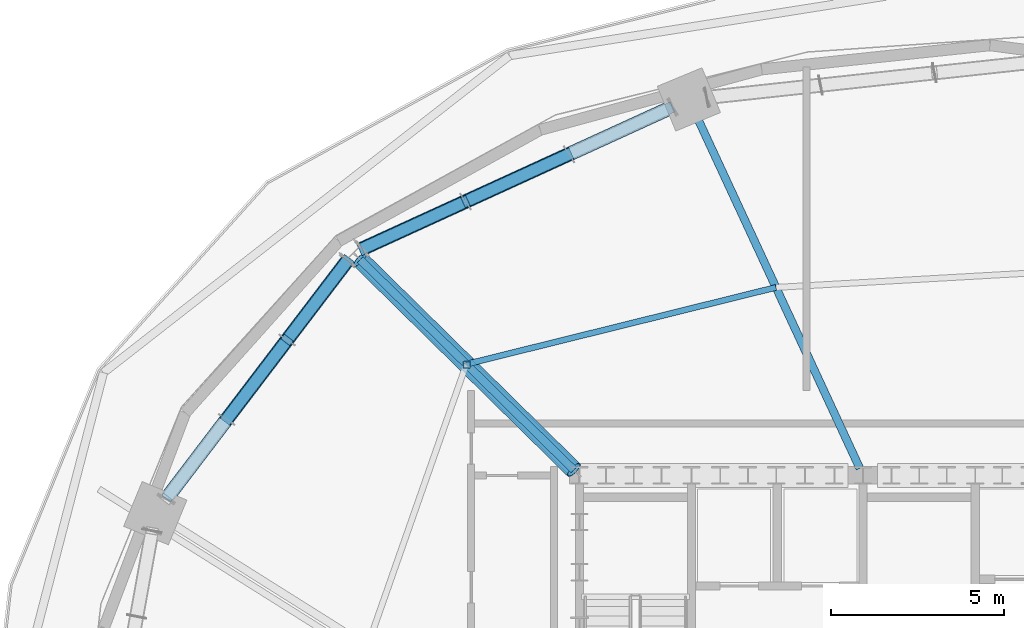
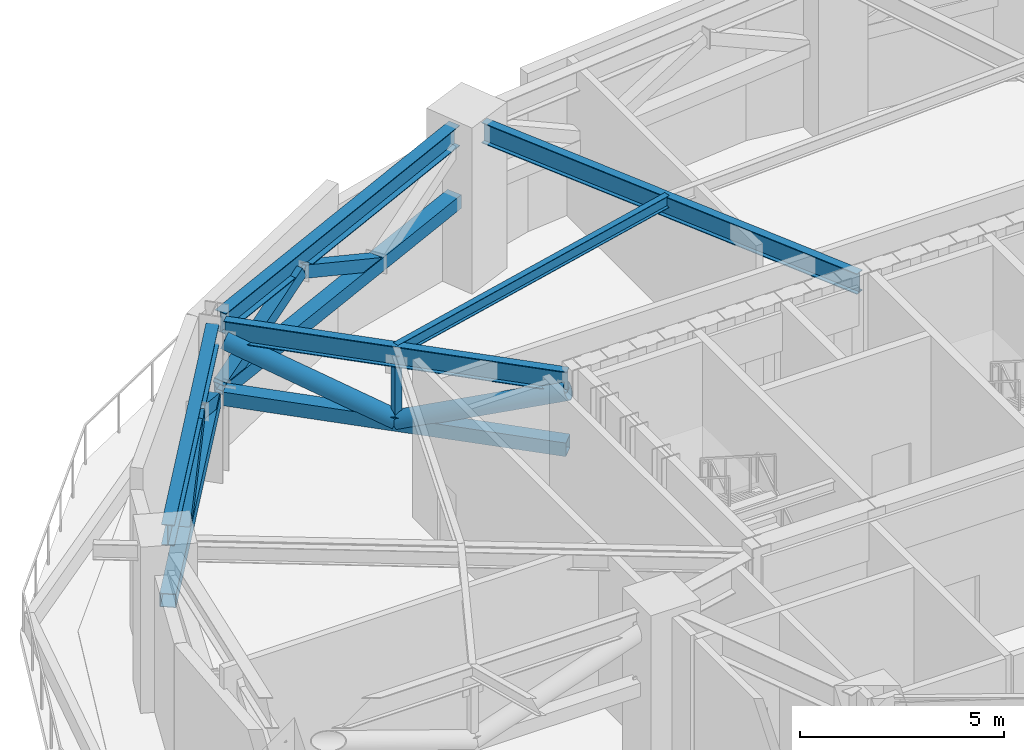
# One storey, part 6 of 18: 10 members, 5 beams.
"""IFC4 building model written with IfcOpenShell, lengths in metres."""

from ifc_helpers import new_model, si_unit, direction, frame, origin, origin_2d, place, context, subcontext, project, spatial, hollow_rectangle, hollow_circle, i_section, extrude, material, material_profile, profile_set, type_object, element, save


model = new_model("IFC4")

# Units and contexts
model_context = context("Model", 3, precision=1e-05, world=origin(), true_north=direction((0.0, 1.0)))
body_context = subcontext(model_context, "Body", "Model", "MODEL_VIEW")
ifc_project = project(units=[si_unit("LENGTHUNIT", "METRE"), si_unit("AREAUNIT", "SQUARE_METRE"), si_unit("VOLUMEUNIT", "CUBIC_METRE"), si_unit("PLANEANGLEUNIT", "RADIAN"), si_unit("MASSUNIT", "GRAM", prefix="KILO")], contexts=[model_context])

# Site, building, storey
site_placement = place(None, origin())
site = spatial("IfcSite", under=ifc_project, at=site_placement, CompositionType="ELEMENT")
building_placement = place(site_placement, origin())
building = spatial("IfcBuilding", under=site, at=building_placement, Name="Haldorwick Loom Tower", CompositionType="ELEMENT")
storey_placement = place(building_placement, frame((0.0, 0.0, 76.800048828125)))
storey = spatial("IfcBuildingStorey", under=building, at=storey_placement, Name="L20", CompositionType="ELEMENT", Elevation=76.800048828125)

# Beams
ifc_material = material(Name="Steel CSA G40.21 350W", Category="steel")
ifc_material_profile_1 = material_profile(ifc_material, i_section(OverallWidth=0.172119140625, OverallDepth=0.35791015625, WebThickness=0.0078125, FlangeThickness=0.01318359375, at=origin_2d()), Name="W360X57", Category="steel")
ifc_profile_set_1 = profile_set([ifc_material_profile_1], Name="Steel CSA G40.21 350W")
beam_type_1 = type_object("IfcBeamType", Name="STR-BM-J360", PredefinedType="JOIST", material=ifc_profile_set_1)
beam_1_placement = place(storey_placement, frame((27.61181640625, 40.98388671875, 4.5810546875), z_axis=(-0.970638838364, -0.240541567009, 0.0), x_axis=(0.240541567009, -0.970638838364, 0.0)))
element("IfcBeam", 1, at=beam_1_placement, inside=storey, type_object=beam_type_1, Name="L20 Mid-Bay Secondary Joist 6", PredefinedType="JOIST", context=body_context, shape_type="SweptSolid", body=[
    extrude(i_section(OverallWidth=0.172119140625, OverallDepth=0.35791015625, WebThickness=0.0078125, FlangeThickness=0.01318359375, at=origin_2d()), origin(), (0.0, 0.0, 1.0), 9.220947265625),
])
ifc_material_profile_2 = material_profile(ifc_material, i_section(OverallWidth=0.324951171875, OverallDepth=0.615966796875, WebThickness=0.013916015625, FlangeThickness=0.021484375, at=origin_2d()), Name="W610X174", Category="steel")
ifc_profile_set_2 = profile_set([ifc_material_profile_2], Name="Steel CSA G40.21 350W")
beam_type_2 = type_object("IfcBeamType", Name="STR-BM-SP610", PredefinedType="SPANDREL", material=ifc_profile_set_2)
beam_2_placement = place(storey_placement, frame((24.62060546875, 46.201416015625, 4.451904296875), z_axis=(-0.909423969306, -0.415870225011, 0.0), x_axis=(0.415870225011, -0.909423969306, 0.0)))
element("IfcBeam", 2, at=beam_2_placement, inside=storey, type_object=beam_type_2, Name="L20 Perimeter Spandrel 6", PredefinedType="SPANDREL", context=body_context, shape_type="SweptSolid", body=[
    extrude(i_section(OverallWidth=0.324951171875, OverallDepth=0.615966796875, WebThickness=0.013916015625, FlangeThickness=0.021484375, at=origin_2d()), origin(), (0.0, 0.0, 1.0), 9.871337890625),
])
beam_3_placement = place(storey_placement, frame((15.226806640625, 41.7626953125, 4.451904296875), z_axis=(-0.605453508047, -0.795880675475, 0.0), x_axis=(0.795880675475, -0.605453508047, 0.0)))
element("IfcBeam", 3, at=beam_3_placement, inside=storey, type_object=beam_type_2, Name="L20 Perimeter Spandrel 7", PredefinedType="SPANDREL", context=body_context, shape_type="SweptSolid", body=[
    extrude(i_section(OverallWidth=0.324951171875, OverallDepth=0.615966796875, WebThickness=0.013916015625, FlangeThickness=0.021484375, at=origin_2d()), origin(), (0.0, 0.0, 1.0), 8.6591796875),
])
ifc_material_profile_3 = material_profile(ifc_material, i_section(OverallWidth=0.22998046875, OverallDepth=0.616943359375, WebThickness=0.01318359375, FlangeThickness=0.022216796875, at=origin_2d()), Name="W610X140", Category="steel")
ifc_profile_set_3 = profile_set([ifc_material_profile_3], Name="Steel CSA G40.21 350W")
beam_type_3 = type_object("IfcBeamType", Name="STR-BM-W610B", PredefinedType="BEAM", material=ifc_profile_set_3)
beam_4_placement = place(storey_placement, frame((30.035400390625, 35.754150390625, 4.451416015625), z_axis=(-0.420492432459, 0.907296045536, 0.0), x_axis=(-0.907296045536, -0.420492432459, 0.0)))
element("IfcBeam", 4, at=beam_4_placement, inside=storey, type_object=beam_type_3, Name="L20 Radial Floor Girder 6", PredefinedType="BEAM", context=body_context, shape_type="SweptSolid", body=[
    extrude(i_section(OverallWidth=0.22998046875, OverallDepth=0.616943359375, WebThickness=0.01318359375, FlangeThickness=0.022216796875, at=origin_2d()), origin(), (0.0, 0.0, 1.0), 11.23291015625),
])
beam_5_placement = place(storey_placement, frame((21.76953125, 35.707763671875, 4.451416015625), z_axis=(-0.712813667541, 0.701353459653, 0.0), x_axis=(-0.701353459653, -0.712813667541, 0.0)))
element("IfcBeam", 5, at=beam_5_placement, inside=storey, type_object=beam_type_3, Name="L20 Radial Floor Girder 7", PredefinedType="BEAM", context=body_context, shape_type="SweptSolid", body=[
    extrude(i_section(OverallWidth=0.22998046875, OverallDepth=0.616943359375, WebThickness=0.01318359375, FlangeThickness=0.022216796875, at=origin_2d()), origin(), (0.0, 0.0, 1.0), 8.67041015625),
])

# Members
ifc_material_profile_4 = material_profile(ifc_material, hollow_rectangle(XDim=0.355712890625, YDim=0.355712890625, WallThickness=0.015869140625, at=origin_2d()), Name="HSS356X356X16", Category="steel")
ifc_profile_set_4 = profile_set([ifc_material_profile_4], Name="Steel CSA G40.21 350W")
member_type_1 = type_object("IfcMemberType", Name="STR-MEM-BR356", PredefinedType="BRACE", material=ifc_profile_set_4)
for number, where, z_axis, x_axis, name in (
    (6, (21.628173828125, 44.8330078125, 2.5), (-0.813531343432, -0.372019513742, 0.446954398847), (0.415870225011, -0.909423969306, 0.0), "L20 Perimeter Belt Truss Web Diagonal 6-2"),
    (7, (18.6357421875, 43.464599609375, 4.14404296875), (-0.813531343432, -0.372019513742, -0.446954398847), (0.415870225011, -0.909423969306, 0.0), "L20 Perimeter Belt Truss Web Diagonal 6-3"),
):
    element("IfcMember", number, at=place(storey_placement, frame(where, z_axis=z_axis, x_axis=x_axis)), inside=storey, type_object=member_type_1, Name=name, PredefinedType="BRACE", context=body_context, shape_type="SweptSolid", body=[
        extrude(hollow_rectangle(XDim=0.355712890625, YDim=0.355712890625, WallThickness=0.015869140625, at=origin_2d()), origin(), (0.0, 0.0, 1.0), 3.67822265625),
    ])
for number, where, z_axis, x_axis, name in (
    (8, (15.226806640625, 41.7626953125, 2.5), (-0.526105973993, -0.691552264501, 0.494942390175), (0.795870339675, -0.60546709442, 0.0), "L20 Perimeter Belt Truss Web Diagonal 7-1"),
    (9, (13.479248046875, 39.465576171875, 4.14404296875), (-0.526105973993, -0.691552264501, -0.494942390175), (0.795870339675, -0.60546709442, 0.0), "L20 Perimeter Belt Truss Web Diagonal 7-2"),
):
    element("IfcMember", number, at=place(storey_placement, frame(where, z_axis=z_axis, x_axis=x_axis)), inside=storey, type_object=member_type_1, Name=name, PredefinedType="BRACE", context=body_context, shape_type="SweptSolid", body=[
        extrude(hollow_rectangle(XDim=0.355712890625, YDim=0.355712890625, WallThickness=0.015869140625, at=origin_2d()), origin(), (0.0, 0.0, 1.0), 3.32177734375),
    ])
ifc_material_profile_5 = material_profile(ifc_material, hollow_circle(Radius=0.25390625, WallThickness=0.015869140625, at=origin_2d()), Name="HSS508X16", Category="steel")
ifc_profile_set_5 = profile_set([ifc_material_profile_5], Name="Steel CSA G40.21 350W")
member_type_2 = type_object("IfcMemberType", Name="STR-MEM-BR508", PredefinedType="BRACE", material=ifc_profile_set_5)
member_1_placement = place(storey_placement, frame((21.76953125, 35.707763671875, 4.14306640625), z_axis=(-0.666532194885, 0.655841981125, -0.354409549781), x_axis=(-0.701367536829, -0.712799816416, 0.0)))
element("IfcMember", 10, at=member_1_placement, inside=storey, type_object=member_type_2, Name="L20 Outrigger OT-NW Inner Diagonal", PredefinedType="BRACE", context=body_context, shape_type="SweptSolid", body=[
    extrude(hollow_circle(Radius=0.25390625, WallThickness=0.015869140625, at=origin_2d()), origin(), (0.0, 0.0, 1.0), 4.635986328125),
])
member_2_placement = place(storey_placement, frame((18.679443359375, 38.748291015625, 2.5), z_axis=(-0.66656145898, 0.655818961143, 0.354397110044), x_axis=(-0.701339382768, -0.712827517832, 0.0)))
element("IfcMember", 11, at=member_2_placement, inside=storey, type_object=member_type_2, Name="L20 Outrigger OT-NW Outer Diagonal", PredefinedType="BRACE", context=body_context, shape_type="SweptSolid", body=[
    extrude(hollow_circle(Radius=0.25390625, WallThickness=0.015869140625, at=origin_2d()), origin(), (0.0, 0.0, 1.0), 4.63623046875),
])
ifc_material_profile_6 = material_profile(ifc_material, hollow_rectangle(XDim=0.406494140625, YDim=0.406494140625, WallThickness=0.015869140625, at=origin_2d()), Name="HSS406X406X16", Category="steel")
ifc_profile_set_6 = profile_set([ifc_material_profile_6], Name="Steel CSA G40.21 350W")
member_type_3 = type_object("IfcMemberType", Name="STR-MEM-CH406", PredefinedType="CHORD", material=ifc_profile_set_6)
member_3_placement = place(storey_placement, frame((24.62060546875, 46.201416015625, 2.5), z_axis=(-0.909423969306, -0.415870225011, 0.0), x_axis=(0.415870225011, -0.909423969306, 0.0)))
element("IfcMember", 12, at=member_3_placement, inside=storey, type_object=member_type_3, Name="L20 Perimeter Belt Truss Bottom Chord 6", PredefinedType="CHORD", context=body_context, shape_type="SweptSolid", body=[
    extrude(hollow_rectangle(XDim=0.406494140625, YDim=0.406494140625, WallThickness=0.015869140625, at=origin_2d()), origin(), (0.0, 0.0, 1.0), 9.871337890625),
])
member_4_placement = place(storey_placement, frame((15.226806640625, 41.7626953125, 2.5), z_axis=(-0.605453508047, -0.795880675475, 0.0), x_axis=(0.795880675475, -0.605453508047, 0.0)))
element("IfcMember", 13, at=member_4_placement, inside=storey, type_object=member_type_3, Name="L20 Perimeter Belt Truss Bottom Chord 7", PredefinedType="CHORD", context=body_context, shape_type="SweptSolid", body=[
    extrude(hollow_rectangle(XDim=0.406494140625, YDim=0.406494140625, WallThickness=0.015869140625, at=origin_2d()), origin(), (0.0, 0.0, 1.0), 8.6591796875),
])
member_5_placement = place(storey_placement, frame((21.76953125, 35.707763671875, 2.5), z_axis=(-0.712813667541, 0.701353459653, 0.0), x_axis=(-0.701353459653, -0.712813667541, 0.0)))
element("IfcMember", 14, at=member_5_placement, inside=storey, type_object=member_type_3, Name="L20 Outrigger OT-NW Bottom Chord", PredefinedType="CHORD", context=body_context, shape_type="SweptSolid", body=[
    extrude(hollow_rectangle(XDim=0.406494140625, YDim=0.406494140625, WallThickness=0.015869140625, at=origin_2d()), origin(), (0.0, 0.0, 1.0), 8.67041015625),
])
ifc_material_profile_7 = material_profile(ifc_material, hollow_rectangle(XDim=0.203125, YDim=0.203125, WallThickness=0.009521484375, at=origin_2d()), Name="HSS203X203X10", Category="steel")
ifc_profile_set_7 = profile_set([ifc_material_profile_7], Name="Steel CSA G40.21 350W")
member_type_4 = type_object("IfcMemberType", Name="STR-MEM-ST203", PredefinedType="STRUT", material=ifc_profile_set_7)
member_6_placement = place(storey_placement, frame((18.679443359375, 38.748291015625, 2.5), z_axis=(0.0, 0.0, 1.0), x_axis=(1.0, 0.0, 0.0)))
element("IfcMember", 15, at=member_6_placement, inside=storey, type_object=member_type_4, Name="L20 Outrigger OT-NW Mid Post", PredefinedType="STRUT", context=body_context, shape_type="SweptSolid", body=[
    extrude(hollow_rectangle(XDim=0.203125, YDim=0.203125, WallThickness=0.009521484375, at=origin_2d()), origin(), (0.0, 0.0, 1.0), 1.64306640625),
])

save(model, "model.ifc")
